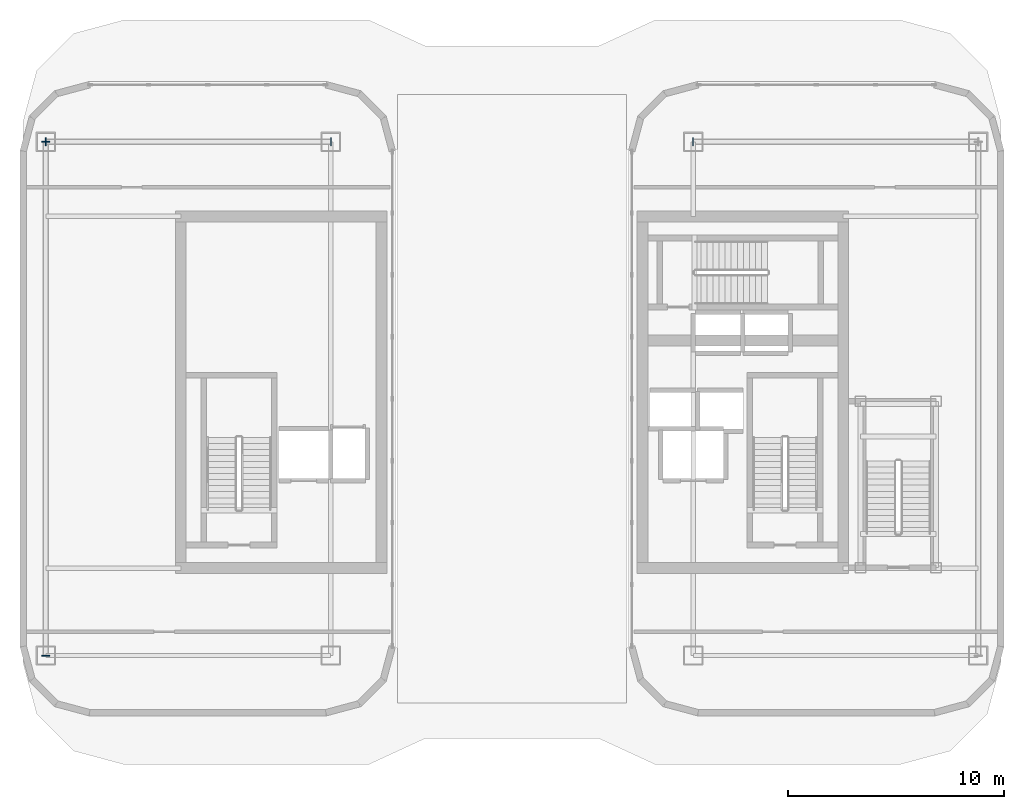
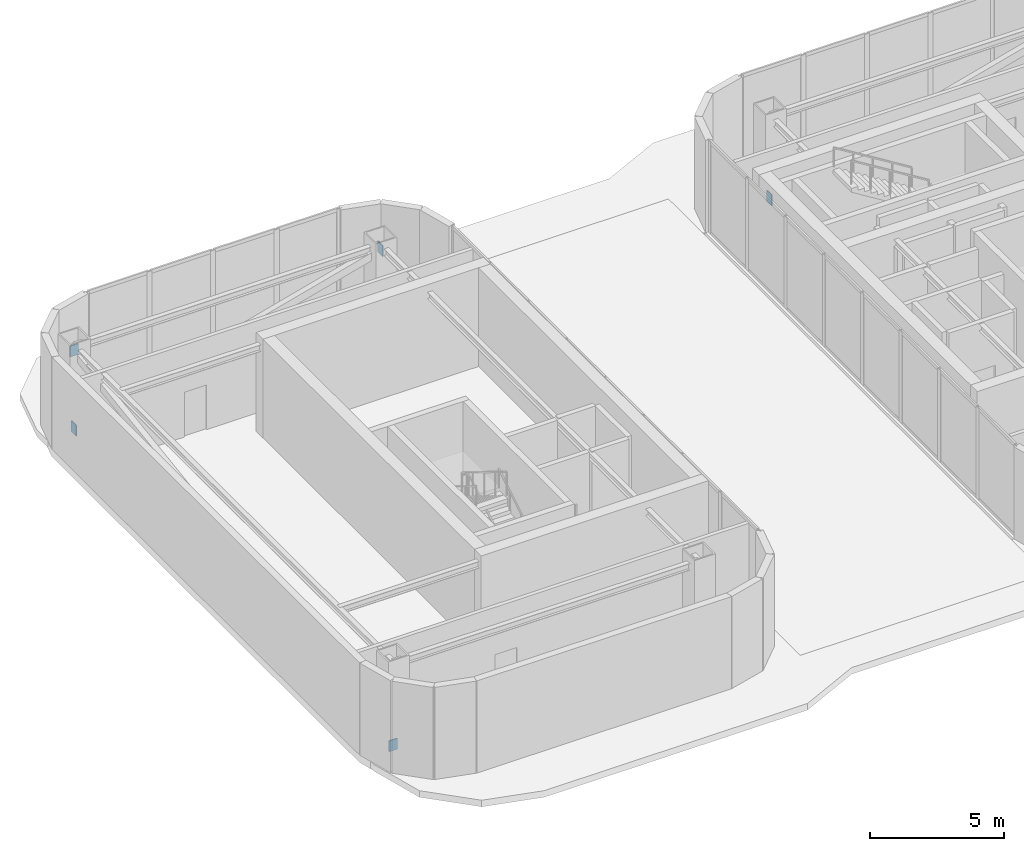
# One storey, part 9 of 14: 5 plates.
"""IFC4 building model written with IfcOpenShell, lengths in metres."""

from ifc_helpers import new_model, si_unit, direction, frame, origin, origin_2d, place, context, subcontext, project, spatial, rectangle, extrude, material, layer, layer_set, type_object, element, save


model = new_model("IFC4")

# Units and contexts
model_context = context("Model", 3, precision=1e-05, world=origin(), true_north=direction((0.0, 1.0)))
body_context = subcontext(model_context, "Body", "Model", "MODEL_VIEW")
ifc_project = project(units=[si_unit("LENGTHUNIT", "METRE"), si_unit("AREAUNIT", "SQUARE_METRE"), si_unit("VOLUMEUNIT", "CUBIC_METRE"), si_unit("PLANEANGLEUNIT", "RADIAN"), si_unit("MASSUNIT", "GRAM", prefix="KILO")], contexts=[model_context])

# Site, building, storey
site_placement = place(None, origin())
site = spatial("IfcSite", under=ifc_project, at=site_placement, CompositionType="ELEMENT")
building_placement = place(site_placement, origin())
building = spatial("IfcBuilding", under=site, at=building_placement, Name="Kiyonajd Concourse Tower", CompositionType="ELEMENT")
storey_placement = place(building_placement, frame((0.0, 0.0, 354.89990234375)))
storey = spatial("IfcBuildingStorey", under=building, at=storey_placement, Name="L89", CompositionType="ELEMENT", Elevation=354.89990234375)

# Plates
ifc_material = material(Name="Steel ASTM A572 Grade 50", Category="steel")
ifc_layer = layer(ifc_material, 0.028076171875)
ifc_layer_set = layer_set([ifc_layer], Name="Steel ASTM A572 Grade 50")
plate_type = type_object("IfcPlateType", Name="PL-CAP-450", PredefinedType="USERDEFINED", material=ifc_layer_set)
for number, where, z_axis, x_axis, name in (
    (1, (26.389404296875, 47.60009765625, 0.046142578125), (0.0, 0.0, 1.0), (-1.0, 0.0, 0.0), "L89 Crown Wind Brace Cap"),
    (2, (39.610595703125, 47.60009765625, 3.60205078125), (0.0, 0.0, 1.0), (1.0, 0.0, 0.0), "L89 Crown Wind Brace Cap"),
):
    element("IfcPlate", number, at=place(storey_placement, frame(where, z_axis=z_axis, x_axis=x_axis)), inside=storey, type_object=plate_type, Name=name, ObjectType="CAP PLATE", PredefinedType="USERDEFINED", context=body_context, shape_type="SweptSolid", body=[
        extrude(rectangle(XDim=0.035888671875, YDim=0.3701171875, at=origin_2d()), origin(), (0.0, 0.0, 1.0), 0.501953125),
    ])
for number, where, z_axis, x_axis, name in (
    (3, (26.39990234375, 23.7890625, 0.0517578125), (0.0, 0.0, 1.0), (0.0, -1.0, 0.0), "L89 Crown Wind Brace Cap"),
    (4, (26.39990234375, 47.61083984375, 3.60498046875), (0.0, 0.0, 1.0), (0.0, 1.0, 0.0), "L89 Crown Wind Brace Cap"),
):
    element("IfcPlate", number, at=place(storey_placement, frame(where, z_axis=z_axis, x_axis=x_axis)), inside=storey, type_object=plate_type, Name=name, ObjectType="CAP PLATE", PredefinedType="USERDEFINED", context=body_context, shape_type="SweptSolid", body=[
        extrude(rectangle(XDim=0.035888671875, YDim=0.3701171875, at=origin_2d()), origin(), (0.0, 0.0, 1.0), 0.493896484375),
    ])
plate_placement = place(storey_placement, frame((56.389404296875, 47.60009765625, 0.046142578125), z_axis=(0.0, 0.0, 1.0), x_axis=(-1.0, 0.0, 0.0)))
element("IfcPlate", 5, at=plate_placement, inside=storey, type_object=plate_type, Name="L89 Crown Wind Brace Cap", ObjectType="CAP PLATE", PredefinedType="USERDEFINED", context=body_context, shape_type="SweptSolid", body=[
    extrude(rectangle(XDim=0.035888671875, YDim=0.3701171875, at=origin_2d()), origin(), (0.0, 0.0, 1.0), 0.501953125),
])

save(model, "model.ifc")
